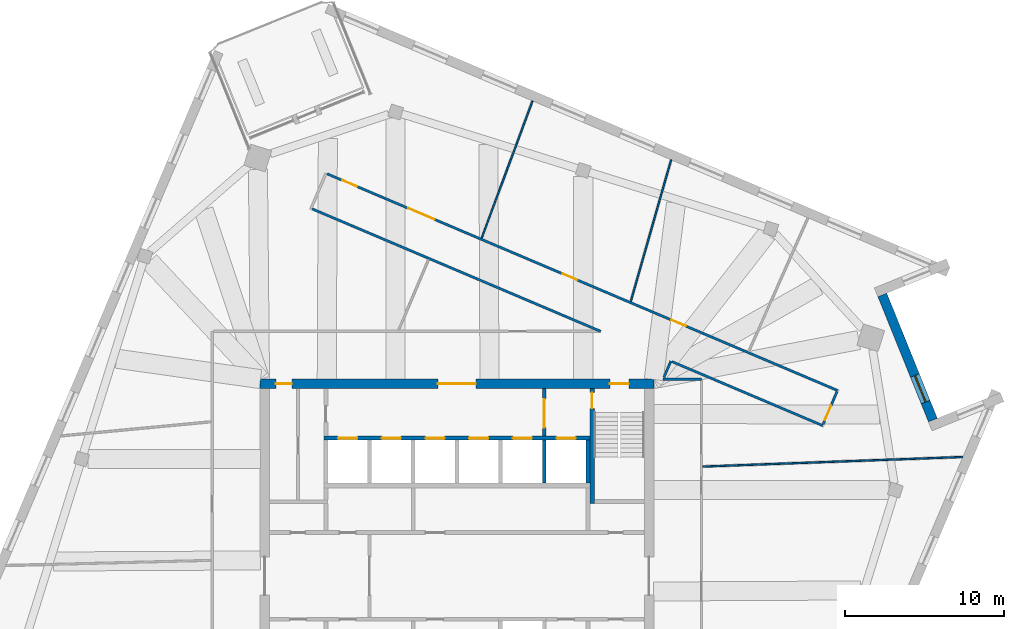
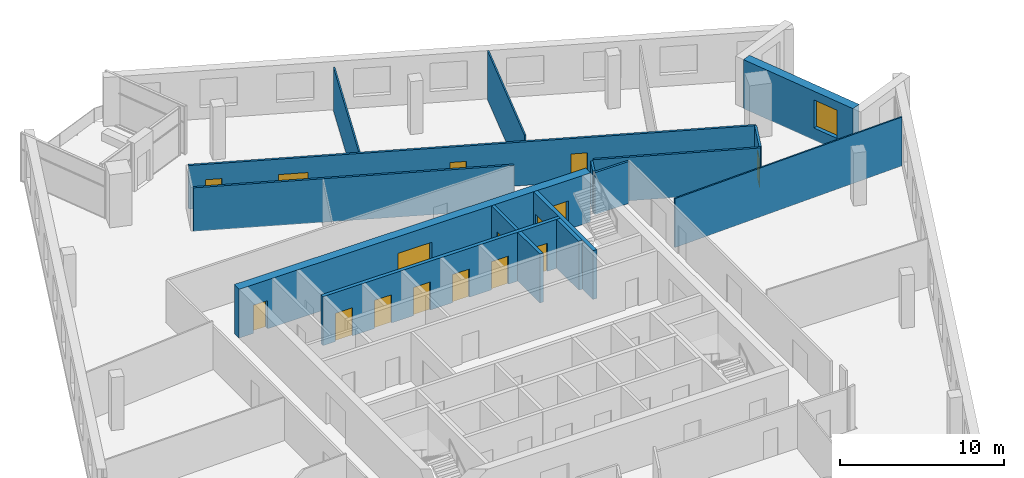
# One storey, part 10 of 13: 16 doors, 16 walls, 1 window, 17 openings.
"""IFC4 building model written with IfcOpenShell, lengths in metres."""

from ifc_helpers import new_model, si_unit, direction, frame, frame_2d, origin, place, context, subcontext, project, spatial, rectangle, extrude, material, layer, layer_set, type_object, element, fill, save


model = new_model("IFC4")

# Units and contexts
model_context = context("Model", 3, precision=1e-05, world=origin(), true_north=direction((0.0, 1.0)))
body_context = subcontext(model_context, "Body", "Model", "MODEL_VIEW")
ifc_project = project(units=[si_unit("LENGTHUNIT", "METRE"), si_unit("AREAUNIT", "SQUARE_METRE"), si_unit("VOLUMEUNIT", "CUBIC_METRE"), si_unit("PLANEANGLEUNIT", "RADIAN"), si_unit("MASSUNIT", "GRAM", prefix="KILO")], contexts=[model_context])

# Site, building, storey
site_placement = place(None, origin())
site = spatial("IfcSite", under=ifc_project, at=site_placement, CompositionType="ELEMENT")
building_placement = place(site_placement, origin())
building = spatial("IfcBuilding", under=site, at=building_placement, Name="Dilmun Exchange Tower", CompositionType="ELEMENT")
storey_placement = place(building_placement, frame((0.0, 0.0, 300.5)))
storey = spatial("IfcBuildingStorey", under=building, at=storey_placement, Name="L71", CompositionType="ELEMENT", Elevation=300.5)

# Wall, opening, door
ifc_material_1 = material(Name="Concrete C40/50", Category="concrete")
ifc_layer_1 = layer(ifc_material_1, 0.199951171875)
ifc_layer_set_1 = layer_set([ifc_layer_1], Name="Concrete C40/50")
wall_type_1 = type_object("IfcWallType", Name="Core partition wall 200", PredefinedType="PARTITIONING", material=ifc_layer_set_1)
wall_1_placement = place(storey_placement, frame((5.5, 8.804931640625, 0.0), z_axis=(0.0, 0.0, 1.0), x_axis=(0.0, 1.0, 0.0)))
wall_1 = element("IfcWall", 1, at=wall_1_placement, inside=storey, type_object=wall_type_1, Name="L71 core partition wall 20", PredefinedType="PARTITIONING", context=body_context, shape_type="SweptSolid", body=[
    extrude(rectangle(XDim=2.989990234375, YDim=0.199951171875, at=frame_2d((1.4951171875, 0.0))), origin(), (0.0, 0.0, 1.0), 3.64990234375),
])
opening_1_placement = place(wall_1_placement, frame((0.532470703125, 0.0, 0.0)))
opening_1 = element("IfcOpeningElement", 2, at=opening_1_placement, cuts=wall_1, Name="Opening CD5", PredefinedType="OPENING", context=body_context, shape_type="SweptSolid", body=[
    extrude(rectangle(XDim=1.800048828125, YDim=2.10009765625, at=frame_2d((0.89990234375, 1.050048828125))), frame((0.0, 0.10986328125, 0.0), z_axis=(0.0, -1.0, 0.0), x_axis=(1.0, 0.0, 0.0)), (0.0, 0.0, 1.0), 0.219970703125),
])
ifc_material_2 = material(Name="Fire-rated steel door set", Category="steel")
door_type_1 = type_object("IfcDoorType", Name="Stair exit door 1800x2100", OperationType="SINGLE_SWING_LEFT", PredefinedType="DOOR", material=ifc_material_2)
door_1_placement = place(opening_1_placement, origin())
door_1 = element("IfcDoor", 3, at=door_1_placement, inside=storey, type_object=door_type_1, Name="L71 door Lift lobby east", OperationType="SINGLE_SWING_LEFT", OverallHeight=2.10009765625, OverallWidth=1.800048828125, PredefinedType="DOOR", context=body_context, shape_type="SweptSolid", body=[
    extrude(rectangle(XDim=1.800048828125, YDim=2.10009765625, at=frame_2d((0.89990234375, 1.050048828125))), frame((0.0, 0.02490234375, 0.0), z_axis=(0.0, -1.0, 0.0), x_axis=(1.0, 0.0, 0.0)), (0.0, 0.0, 1.0), 0.050048828125),
])
fill(opening_1, door_1)

# Wall, openings, doors
ifc_material_3 = material(Name="Concrete C50/60", Category="concrete")
ifc_layer_2 = layer(ifc_material_3, 0.60009765625)
ifc_layer_set_2 = layer_set([ifc_layer_2], Name="Concrete C50/60")
wall_type_2 = type_object("IfcWallType", Name="Core shear wall 600 Concrete C50/60", PredefinedType="SHEAR", material=ifc_layer_set_2)
wall_2_placement = place(storey_placement, frame((-12.39990234375, 12.10009765625, 0.0), z_axis=(0.0, 0.0, 1.0), x_axis=(1.0, 0.0, 0.0)))
wall_2 = element("IfcWall", 4, at=wall_2_placement, inside=storey, type_object=wall_type_2, Name="L71 core shear wall N", PredefinedType="SHEAR", context=body_context, shape_type="SweptSolid", body=[
    extrude(rectangle(XDim=24.7998046875, YDim=0.60009765625, at=frame_2d((12.39990234375, 0.0))), origin(), (0.0, 0.0, 1.0), 3.64990234375),
])
opening_2_placement = place(wall_2_placement, frame((11.199951171875, 0.0, 0.0)))
opening_2 = element("IfcOpeningElement", 5, at=opening_2_placement, cuts=wall_2, Name="Opening CD1", PredefinedType="OPENING", context=body_context, shape_type="SweptSolid", body=[
    extrude(rectangle(XDim=2.39990234375, YDim=2.39990234375, at=frame_2d((1.199951171875, 1.199951171875))), frame((0.0, 0.31005859375, 0.0), z_axis=(0.0, -1.0, 0.0), x_axis=(1.0, 0.0, 0.0)), (0.0, 0.0, 1.0), 0.6201171875),
])
opening_3_placement = place(wall_2_placement, frame((22.02490234375, 0.0, 0.0)))
opening_3 = element("IfcOpeningElement", 6, at=opening_3_placement, cuts=wall_2, Name="Opening CD3", PredefinedType="OPENING", context=body_context, shape_type="SweptSolid", body=[
    extrude(rectangle(XDim=1.199951171875, YDim=2.10009765625, at=frame_2d((0.60009765625, 1.050048828125))), frame((0.0, 0.31005859375, 0.0), z_axis=(0.0, -1.0, 0.0), x_axis=(1.0, 0.0, 0.0)), (0.0, 0.0, 1.0), 0.6201171875),
])
opening_4_placement = place(wall_2_placement, frame((1.0, 0.0, 0.0)))
opening_4 = element("IfcOpeningElement", 7, at=opening_4_placement, cuts=wall_2, Name="Opening CD4", PredefinedType="OPENING", context=body_context, shape_type="SweptSolid", body=[
    extrude(rectangle(XDim=1.0, YDim=2.10009765625, at=frame_2d((0.5, 1.050048828125))), frame((0.0, 0.31005859375, 0.0), z_axis=(0.0, -1.0, 0.0), x_axis=(1.0, 0.0, 0.0)), (0.0, 0.0, 1.0), 0.6201171875),
])
door_type_2 = type_object("IfcDoorType", Name="Core lobby door 2400x2400", OperationType="DOUBLE_DOOR_DOUBLE_SWING", PredefinedType="DOOR", material=ifc_material_2)
door_2_placement = place(opening_2_placement, origin())
door_2 = element("IfcDoor", 8, at=door_2_placement, inside=storey, type_object=door_type_2, Name="L71 door North lift lobby", OperationType="SINGLE_SWING_LEFT", OverallHeight=2.39990234375, OverallWidth=2.39990234375, PredefinedType="DOOR", context=body_context, shape_type="SweptSolid", body=[
    extrude(rectangle(XDim=2.39990234375, YDim=2.39990234375, at=frame_2d((1.199951171875, 1.199951171875))), frame((0.0, 0.02490234375, 0.0), z_axis=(0.0, -1.0, 0.0), x_axis=(1.0, 0.0, 0.0)), (0.0, 0.0, 1.0), 0.050048828125),
])
fill(opening_2, door_2)
door_type_3 = type_object("IfcDoorType", Name="Core room door 1000x2100", OperationType="SINGLE_SWING_LEFT", PredefinedType="DOOR", material=ifc_material_2)
door_3_placement = place(opening_4_placement, origin())
door_3 = element("IfcDoor", 9, at=door_3_placement, inside=storey, type_object=door_type_3, Name="L71 door North-west core rooms", OperationType="SINGLE_SWING_LEFT", OverallHeight=2.10009765625, OverallWidth=1.0, PredefinedType="DOOR", context=body_context, shape_type="SweptSolid", body=[
    extrude(rectangle(XDim=1.0, YDim=2.10009765625, at=frame_2d((0.5, 1.050048828125))), frame((0.0, 0.02490234375, 0.0), z_axis=(0.0, -1.0, 0.0), x_axis=(1.0, 0.0, 0.0)), (0.0, 0.0, 1.0), 0.050048828125),
])
fill(opening_4, door_3)
door_type_4 = type_object("IfcDoorType", Name="Stair exit door 1200x2100", OperationType="SINGLE_SWING_LEFT", PredefinedType="DOOR", material=ifc_material_2)
door_4_placement = place(opening_3_placement, origin())
door_4 = element("IfcDoor", 10, at=door_4_placement, inside=storey, type_object=door_type_4, Name="L71 door Stair ST1", OperationType="SINGLE_SWING_LEFT", OverallHeight=2.10009765625, OverallWidth=1.199951171875, PredefinedType="DOOR", context=body_context, shape_type="SweptSolid", body=[
    extrude(rectangle(XDim=1.199951171875, YDim=2.10009765625, at=frame_2d((0.60009765625, 1.050048828125))), frame((0.0, 0.02490234375, 0.0), z_axis=(0.0, -1.0, 0.0), x_axis=(1.0, 0.0, 0.0)), (0.0, 0.0, 1.0), 0.050048828125),
])
fill(opening_3, door_4)

# Wall
ifc_material_4 = material(Name="Corridor wall 150")
ifc_layer_3 = layer(ifc_material_4, 0.14990234375)
ifc_layer_set_3 = layer_set([ifc_layer_3], Name="Corridor wall 150")
wall_type_3 = type_object("IfcWallType", Name="Corridor wall 150", PredefinedType="PARTITIONING", material=ifc_layer_set_3)
wall_3_placement = place(storey_placement, frame((-9.114013671875, 23.11572265625, 0.0), z_axis=(0.0, 0.0, 1.0), x_axis=(0.920508047483, -0.390723603739, 0.0)))
element("IfcWall", 11, at=wall_3_placement, inside=storey, type_object=wall_type_3, Name="Corridor wall", PredefinedType="PARTITIONING", context=body_context, shape_type="SweptSolid", body=[
    extrude(rectangle(XDim=19.73681640625, YDim=0.14990234375, at=frame_2d((9.868408203125, 0.0))), origin(), (0.0, 0.0, 1.0), 3.25),
])

# Wall, openings, doors
wall_4_placement = place(storey_placement, frame((-8.176025390625, 25.32470703125, 0.0), z_axis=(0.0, 0.0, 1.0), x_axis=(0.920507643781, -0.390724554821, 0.0)))
wall_4 = element("IfcWall", 12, at=wall_4_placement, inside=storey, type_object=wall_type_3, Name="Corridor wall", PredefinedType="PARTITIONING", context=body_context, shape_type="SweptSolid", body=[
    extrude(rectangle(XDim=34.916748046875, YDim=0.14990234375, at=frame_2d((17.45849609375, 0.0))), origin(), (0.0, 0.0, 1.0), 3.25),
])
opening_5_placement = place(wall_4_placement, frame((5.550048828125, 0.0, 0.0)))
opening_5 = element("IfcOpeningElement", 13, at=opening_5_placement, cuts=wall_4, Name="Opening TF70-D06", PredefinedType="OPENING", context=body_context, shape_type="SweptSolid", body=[
    extrude(rectangle(XDim=1.800048828125, YDim=2.10009765625, at=frame_2d((0.89990234375, 1.050048828125))), frame((0.0, 0.0849609375, 0.0), z_axis=(0.0, -1.0, 0.0), x_axis=(1.0, 0.0, 0.0)), (0.0, 0.0, 1.0), 0.169921875),
])
opening_6_placement = place(wall_4_placement, frame((1.050048828125, 0.0, 0.0)))
opening_6 = element("IfcOpeningElement", 14, at=opening_6_placement, cuts=wall_4, Name="Opening TF70-D07", PredefinedType="OPENING", context=body_context, shape_type="SweptSolid", body=[
    extrude(rectangle(XDim=1.0, YDim=2.10009765625, at=frame_2d((0.5, 1.050048828125))), frame((0.0, 0.0849609375, 0.0), z_axis=(0.0, -1.0, 0.0), x_axis=(1.0, 0.0, 0.0)), (0.0, 0.0, 1.0), 0.169921875),
])
opening_7_placement = place(wall_4_placement, frame((16.097900390625, 0.0, 0.0)))
opening_7 = element("IfcOpeningElement", 15, at=opening_7_placement, cuts=wall_4, Name="Opening TF70-D12", PredefinedType="OPENING", context=body_context, shape_type="SweptSolid", body=[
    extrude(rectangle(XDim=1.0, YDim=2.10009765625, at=frame_2d((0.5, 1.050048828125))), frame((0.0, 0.0849609375, 0.0), z_axis=(0.0, -1.0, 0.0), x_axis=(1.0, 0.0, 0.0)), (0.0, 0.0, 1.0), 0.169921875),
])
opening_8_placement = place(wall_4_placement, frame((23.547119140625, 0.0, 0.0)))
opening_8 = element("IfcOpeningElement", 16, at=opening_8_placement, cuts=wall_4, Name="Opening TF70-D13", PredefinedType="OPENING", context=body_context, shape_type="SweptSolid", body=[
    extrude(rectangle(XDim=1.0, YDim=2.10009765625, at=frame_2d((0.5, 1.050048828125))), frame((0.0, 0.0849609375, 0.0), z_axis=(0.0, -1.0, 0.0), x_axis=(1.0, 0.0, 0.0)), (0.0, 0.0, 1.0), 0.169921875),
])
ifc_material_5 = material(Name="Fire door 1000 x 2100")
door_type_5 = type_object("IfcDoorType", Name="Fire door 1000 x 2100", OperationType="NOTDEFINED", PredefinedType="DOOR", material=ifc_material_5)
door_5_placement = place(opening_6_placement, origin())
door_5 = element("IfcDoor", 17, at=door_5_placement, inside=storey, type_object=door_type_5, Name="Door TF70-D07", OperationType="SINGLE_SWING_LEFT", OverallHeight=2.10009765625, OverallWidth=1.0, PredefinedType="DOOR", context=body_context, shape_type="SweptSolid", body=[
    extrude(rectangle(XDim=1.0, YDim=2.10009765625, at=frame_2d((0.5, 1.050048828125))), frame((0.0, 0.02490234375, 0.0), z_axis=(0.0, -1.0, 0.0), x_axis=(1.0, 0.0, 0.0)), (0.0, 0.0, 1.0), 0.050048828125),
])
fill(opening_6, door_5)
door_6_placement = place(opening_7_placement, origin())
door_6 = element("IfcDoor", 18, at=door_6_placement, inside=storey, type_object=door_type_5, Name="Door TF70-D12", OperationType="SINGLE_SWING_RIGHT", OverallHeight=2.10009765625, OverallWidth=1.0, PredefinedType="DOOR", context=body_context, shape_type="SweptSolid", body=[
    extrude(rectangle(XDim=1.0, YDim=2.10009765625, at=frame_2d((0.5, 1.050048828125))), frame((0.0, 0.02490234375, 0.0), z_axis=(0.0, -1.0, 0.0), x_axis=(1.0, 0.0, 0.0)), (0.0, 0.0, 1.0), 0.050048828125),
])
fill(opening_7, door_6)
door_7_placement = place(opening_8_placement, origin())
door_7 = element("IfcDoor", 19, at=door_7_placement, inside=storey, type_object=door_type_5, Name="Door TF70-D13", OperationType="SINGLE_SWING_RIGHT", OverallHeight=2.10009765625, OverallWidth=1.0, PredefinedType="DOOR", context=body_context, shape_type="SweptSolid", body=[
    extrude(rectangle(XDim=1.0, YDim=2.10009765625, at=frame_2d((0.5, 1.050048828125))), frame((0.0, 0.02490234375, 0.0), z_axis=(0.0, -1.0, 0.0), x_axis=(1.0, 0.0, 0.0)), (0.0, 0.0, 1.0), 0.050048828125),
])
fill(opening_8, door_7)
ifc_material_6 = material(Name="Fire door pair 1800 x 2100")
door_type_6 = type_object("IfcDoorType", Name="Fire door pair 1800 x 2100", OperationType="NOTDEFINED", PredefinedType="DOOR", material=ifc_material_6)
door_8_placement = place(opening_5_placement, origin())
door_8 = element("IfcDoor", 20, at=door_8_placement, inside=storey, type_object=door_type_6, Name="Door TF70-D06", OperationType="DOUBLE_DOOR_SINGLE_SWING", OverallHeight=2.10009765625, OverallWidth=1.800048828125, PredefinedType="DOOR", context=body_context, shape_type="SweptSolid", body=[
    extrude(rectangle(XDim=1.800048828125, YDim=2.10009765625, at=frame_2d((0.89990234375, 1.050048828125))), frame((0.0, 0.02490234375, 0.0), z_axis=(0.0, -1.0, 0.0), x_axis=(1.0, 0.0, 0.0)), (0.0, 0.0, 1.0), 0.050048828125),
])
fill(opening_5, door_8)

# Walls
wall_5_placement = place(storey_placement, frame((12.990966796875, 12.39990234375, 0.0), z_axis=(0.0, 0.0, 1.0), x_axis=(1.0, 0.0, 0.0)))
element("IfcWall", 21, at=wall_5_placement, inside=storey, type_object=wall_type_3, Name="Corridor wall", PredefinedType="PARTITIONING", context=body_context, shape_type="SweptSolid", body=[
    extrude(rectangle(XDim=2.408935546875, YDim=0.14990234375, at=frame_2d((1.20458984375, 0.0))), origin(), (0.0, 0.0, 1.0), 3.1298828125),
])
wall_6_placement = place(storey_placement, frame((13.03515625, 12.50439453125, 0.0), z_axis=(0.0, 0.0, 1.0), x_axis=(0.390634335845, 0.920545933487, 0.0)))
element("IfcWall", 22, at=wall_6_placement, inside=storey, type_object=wall_type_3, Name="Corridor wall", PredefinedType="PARTITIONING", context=body_context, shape_type="SweptSolid", body=[
    extrude(rectangle(XDim=1.113037109375, YDim=0.14990234375, at=frame_2d((0.556640625, 0.0))), origin(), (0.0, 0.0, 1.0), 3.1298828125),
])
wall_7_placement = place(storey_placement, frame((13.5390625, 13.499755859375, 0.0), z_axis=(0.0, 0.0, 1.0), x_axis=(0.920505387388, -0.390729870613, 0.0)))
element("IfcWall", 23, at=wall_7_placement, inside=storey, type_object=wall_type_3, Name="Corridor wall", PredefinedType="PARTITIONING", context=body_context, shape_type="SweptSolid", body=[
    extrude(rectangle(XDim=10.30859375, YDim=0.14990234375, at=frame_2d((5.154296875, 0.0))), origin(), (0.0, 0.0, 1.0), 3.25),
])

# Wall, opening, door
wall_8_placement = place(storey_placement, frame((23.057373046875, 9.5419921875, 0.0), z_axis=(0.0, 0.0, 1.0), x_axis=(0.390510824394, 0.920598335883, 0.0)))
wall_8 = element("IfcWall", 24, at=wall_8_placement, inside=storey, type_object=wall_type_3, Name="Corridor wall", PredefinedType="PARTITIONING", context=body_context, shape_type="SweptSolid", body=[
    extrude(rectangle(XDim=2.24951171875, YDim=0.14990234375, at=frame_2d((1.124755859375, 0.0))), origin(), (0.0, 0.0, 1.0), 3.25),
])
opening_9_placement = place(wall_8_placement, frame((0.300048828125, 0.0, 0.0)))
opening_9 = element("IfcOpeningElement", 25, at=opening_9_placement, cuts=wall_8, Name="Opening TF70-D19", PredefinedType="OPENING", context=body_context, shape_type="SweptSolid", body=[
    extrude(rectangle(XDim=1.0, YDim=2.10009765625, at=frame_2d((0.5, 1.050048828125))), frame((0.0, 0.0849609375, 0.0), z_axis=(0.0, -1.0, 0.0), x_axis=(1.0, 0.0, 0.0)), (0.0, 0.0, 1.0), 0.169921875),
])
door_9_placement = place(opening_9_placement, frame((1.0, 0.0, 0.0), z_axis=(0.0, 0.0, 1.0), x_axis=(-1.0, 0.0, 0.0)))
door_9 = element("IfcDoor", 26, at=door_9_placement, inside=storey, type_object=door_type_5, Name="Door TF70-D19", OperationType="SINGLE_SWING_RIGHT", OverallHeight=2.10009765625, OverallWidth=1.0, PredefinedType="DOOR", context=body_context, shape_type="SweptSolid", body=[
    extrude(rectangle(XDim=1.0, YDim=2.10009765625, at=frame_2d((0.5, 1.050048828125))), frame((0.0, 0.02490234375, 0.0), z_axis=(0.0, -1.0, 0.0), x_axis=(1.0, 0.0, 0.0)), (0.0, 0.0, 1.0), 0.050048828125),
])
fill(opening_9, door_9)

# Wall, openings, doors
ifc_layer_4 = layer(ifc_material_1, 0.25)
ifc_layer_set_4 = layer_set([ifc_layer_4], Name="Concrete C40/50")
wall_type_4 = type_object("IfcWallType", Name="Lift shaft wall 250", PredefinedType="SOLIDWALL", material=ifc_layer_set_4)
wall_9_placement = place(storey_placement, frame((-8.375, 8.675048828125, 0.0), z_axis=(0.0, 0.0, 1.0), x_axis=(1.0, 0.0, 0.0)))
wall_9 = element("IfcWall", 27, at=wall_9_placement, inside=storey, type_object=wall_type_4, Name="L71 lift shaft front wall N2", PredefinedType="SOLIDWALL", context=body_context, shape_type="SweptSolid", body=[
    extrude(rectangle(XDim=16.75, YDim=0.25, at=frame_2d((8.375, 0.0))), origin(), (0.0, 0.0, 1.0), 3.64990234375),
])
opening_10_placement = place(wall_9_placement, frame((0.89990234375, 0.0, 0.0)))
opening_10 = element("IfcOpeningElement", 28, at=opening_10_placement, cuts=wall_9, Name="Opening LD", PredefinedType="OPENING", context=body_context, shape_type="SweptSolid", body=[
    extrude(rectangle(XDim=1.199951171875, YDim=2.10009765625, at=frame_2d((0.60009765625, 1.050048828125))), frame((0.0, 0.135009765625, 0.0), z_axis=(0.0, -1.0, 0.0), x_axis=(1.0, 0.0, 0.0)), (0.0, 0.0, 1.0), 0.27001953125),
])
opening_11_placement = place(wall_9_placement, frame((3.64990234375, 0.0, 0.0)))
opening_11 = element("IfcOpeningElement", 29, at=opening_11_placement, cuts=wall_9, Name="Opening LD", PredefinedType="OPENING", context=body_context, shape_type="SweptSolid", body=[
    extrude(rectangle(XDim=1.199951171875, YDim=2.10009765625, at=frame_2d((0.60009765625, 1.050048828125))), frame((0.0, 0.135009765625, 0.0), z_axis=(0.0, -1.0, 0.0), x_axis=(1.0, 0.0, 0.0)), (0.0, 0.0, 1.0), 0.27001953125),
])
opening_12_placement = place(wall_9_placement, frame((6.39990234375, 0.0, 0.0)))
opening_12 = element("IfcOpeningElement", 30, at=opening_12_placement, cuts=wall_9, Name="Opening LD", PredefinedType="OPENING", context=body_context, shape_type="SweptSolid", body=[
    extrude(rectangle(XDim=1.199951171875, YDim=2.10009765625, at=frame_2d((0.60009765625, 1.050048828125))), frame((0.0, 0.135009765625, 0.0), z_axis=(0.0, -1.0, 0.0), x_axis=(1.0, 0.0, 0.0)), (0.0, 0.0, 1.0), 0.27001953125),
])
opening_13_placement = place(wall_9_placement, frame((9.14990234375, 0.0, 0.0)))
opening_13 = element("IfcOpeningElement", 31, at=opening_13_placement, cuts=wall_9, Name="Opening LD", PredefinedType="OPENING", context=body_context, shape_type="SweptSolid", body=[
    extrude(rectangle(XDim=1.199951171875, YDim=2.10009765625, at=frame_2d((0.60009765625, 1.050048828125))), frame((0.0, 0.135009765625, 0.0), z_axis=(0.0, -1.0, 0.0), x_axis=(1.0, 0.0, 0.0)), (0.0, 0.0, 1.0), 0.27001953125),
])
opening_14_placement = place(wall_9_placement, frame((11.89990234375, 0.0, 0.0)))
opening_14 = element("IfcOpeningElement", 32, at=opening_14_placement, cuts=wall_9, Name="Opening LD", PredefinedType="OPENING", context=body_context, shape_type="SweptSolid", body=[
    extrude(rectangle(XDim=1.199951171875, YDim=2.10009765625, at=frame_2d((0.60009765625, 1.050048828125))), frame((0.0, 0.135009765625, 0.0), z_axis=(0.0, -1.0, 0.0), x_axis=(1.0, 0.0, 0.0)), (0.0, 0.0, 1.0), 0.27001953125),
])
opening_15_placement = place(wall_9_placement, frame((14.64990234375, 0.0, 0.0)))
opening_15 = element("IfcOpeningElement", 33, at=opening_15_placement, cuts=wall_9, Name="Opening LD", PredefinedType="OPENING", context=body_context, shape_type="SweptSolid", body=[
    extrude(rectangle(XDim=1.199951171875, YDim=2.10009765625, at=frame_2d((0.60009765625, 1.050048828125))), frame((0.0, 0.135009765625, 0.0), z_axis=(0.0, -1.0, 0.0), x_axis=(1.0, 0.0, 0.0)), (0.0, 0.0, 1.0), 0.27001953125),
])
door_type_7 = type_object("IfcDoorType", Name="Lift landing door 1200x2100", OperationType="DOUBLE_DOOR_SLIDING", PredefinedType="DOOR", material=ifc_material_2)
door_10_placement = place(opening_10_placement, origin())
door_10 = element("IfcDoor", 34, at=door_10_placement, inside=storey, type_object=door_type_7, Name="L71 landing door HR1", OperationType="DOUBLE_DOOR_SLIDING", OverallHeight=2.10009765625, OverallWidth=1.199951171875, PredefinedType="DOOR", context=body_context, shape_type="SweptSolid", body=[
    extrude(rectangle(XDim=1.199951171875, YDim=2.10009765625, at=frame_2d((0.60009765625, 1.050048828125))), frame((0.0, 0.02490234375, 0.0), z_axis=(0.0, -1.0, 0.0), x_axis=(1.0, 0.0, 0.0)), (0.0, 0.0, 1.0), 0.050048828125),
])
fill(opening_10, door_10)
door_11_placement = place(opening_11_placement, origin())
door_11 = element("IfcDoor", 35, at=door_11_placement, inside=storey, type_object=door_type_7, Name="L71 landing door HR2", OperationType="DOUBLE_DOOR_SLIDING", OverallHeight=2.10009765625, OverallWidth=1.199951171875, PredefinedType="DOOR", context=body_context, shape_type="SweptSolid", body=[
    extrude(rectangle(XDim=1.199951171875, YDim=2.10009765625, at=frame_2d((0.60009765625, 1.050048828125))), frame((0.0, 0.02490234375, 0.0), z_axis=(0.0, -1.0, 0.0), x_axis=(1.0, 0.0, 0.0)), (0.0, 0.0, 1.0), 0.050048828125),
])
fill(opening_11, door_11)
door_12_placement = place(opening_12_placement, origin())
door_12 = element("IfcDoor", 36, at=door_12_placement, inside=storey, type_object=door_type_7, Name="L71 landing door HR3", OperationType="DOUBLE_DOOR_SLIDING", OverallHeight=2.10009765625, OverallWidth=1.199951171875, PredefinedType="DOOR", context=body_context, shape_type="SweptSolid", body=[
    extrude(rectangle(XDim=1.199951171875, YDim=2.10009765625, at=frame_2d((0.60009765625, 1.050048828125))), frame((0.0, 0.02490234375, 0.0), z_axis=(0.0, -1.0, 0.0), x_axis=(1.0, 0.0, 0.0)), (0.0, 0.0, 1.0), 0.050048828125),
])
fill(opening_12, door_12)
door_13_placement = place(opening_13_placement, origin())
door_13 = element("IfcDoor", 37, at=door_13_placement, inside=storey, type_object=door_type_7, Name="L71 landing door HR4", OperationType="DOUBLE_DOOR_SLIDING", OverallHeight=2.10009765625, OverallWidth=1.199951171875, PredefinedType="DOOR", context=body_context, shape_type="SweptSolid", body=[
    extrude(rectangle(XDim=1.199951171875, YDim=2.10009765625, at=frame_2d((0.60009765625, 1.050048828125))), frame((0.0, 0.02490234375, 0.0), z_axis=(0.0, -1.0, 0.0), x_axis=(1.0, 0.0, 0.0)), (0.0, 0.0, 1.0), 0.050048828125),
])
fill(opening_13, door_13)
door_14_placement = place(opening_14_placement, origin())
door_14 = element("IfcDoor", 38, at=door_14_placement, inside=storey, type_object=door_type_7, Name="L71 landing door HR5", OperationType="DOUBLE_DOOR_SLIDING", OverallHeight=2.10009765625, OverallWidth=1.199951171875, PredefinedType="DOOR", context=body_context, shape_type="SweptSolid", body=[
    extrude(rectangle(XDim=1.199951171875, YDim=2.10009765625, at=frame_2d((0.60009765625, 1.050048828125))), frame((0.0, 0.02490234375, 0.0), z_axis=(0.0, -1.0, 0.0), x_axis=(1.0, 0.0, 0.0)), (0.0, 0.0, 1.0), 0.050048828125),
])
fill(opening_14, door_14)
door_15_placement = place(opening_15_placement, origin())
door_15 = element("IfcDoor", 39, at=door_15_placement, inside=storey, type_object=door_type_7, Name="L71 landing door HR6", OperationType="DOUBLE_DOOR_SLIDING", OverallHeight=2.10009765625, OverallWidth=1.199951171875, PredefinedType="DOOR", context=body_context, shape_type="SweptSolid", body=[
    extrude(rectangle(XDim=1.199951171875, YDim=2.10009765625, at=frame_2d((0.60009765625, 1.050048828125))), frame((0.0, 0.02490234375, 0.0), z_axis=(0.0, -1.0, 0.0), x_axis=(1.0, 0.0, 0.0)), (0.0, 0.0, 1.0), 0.050048828125),
])
fill(opening_15, door_15)

# Walls
for number, where, z_axis, x_axis, name in (
    (40, (5.5, 5.85009765625, 0.0), (0.0, 0.0, 1.0), (0.0, 1.0, 0.0), "L71 lift shaft divider N25"),
    (41, (8.25, 5.85009765625, 0.0), (0.0, 0.0, 1.0), (0.0, 1.0, 0.0), "L71 lift shaft divider N26"),
):
    element("IfcWall", number, at=place(storey_placement, frame(where, z_axis=z_axis, x_axis=x_axis)), inside=storey, type_object=wall_type_4, Name=name, PredefinedType="SOLIDWALL", context=body_context, shape_type="SweptSolid", body=[
        extrude(rectangle(XDim=2.699951171875, YDim=0.25, at=frame_2d((1.35009765625, 0.0))), origin(), (0.0, 0.0, 1.0), 3.64990234375),
    ])
ifc_material_7 = material(Name="Partition 100")
ifc_layer_5 = layer(ifc_material_7, 0.10009765625)
ifc_layer_set_5 = layer_set([ifc_layer_5], Name="Partition 100")
wall_type_5 = type_object("IfcWallType", Name="Partition 100", PredefinedType="PARTITIONING", material=ifc_layer_set_5)
wall_10_placement = place(storey_placement, frame((1.56201171875, 21.275634765625, 0.0), z_axis=(0.0, 0.0, 1.0), x_axis=(0.346967394258, 0.937877192025, 0.0)))
element("IfcWall", 42, at=wall_10_placement, inside=storey, type_object=wall_type_5, Name="Partition", PredefinedType="PARTITIONING", context=body_context, shape_type="SweptSolid", body=[
    extrude(rectangle(XDim=9.21337890625, YDim=0.10009765625, at=frame_2d((4.606689453125, 0.0))), origin(), (0.0, 0.0, 1.0), 3.25),
])
wall_11_placement = place(storey_placement, frame((10.948486328125, 17.295654296875, 0.0), z_axis=(0.0, 0.0, 1.0), x_axis=(0.274428926373, 0.961607385771, 0.0)))
element("IfcWall", 43, at=wall_11_placement, inside=storey, type_object=wall_type_5, Name="Partition", PredefinedType="PARTITIONING", context=body_context, shape_type="SweptSolid", body=[
    extrude(rectangle(XDim=9.27001953125, YDim=0.10009765625, at=frame_2d((4.635009765625, 0.0))), origin(), (0.0, 0.0, 1.0), 3.64990234375),
])
wall_12_placement = place(storey_placement, frame((15.476806640625, 6.888916015625, 0.0), z_axis=(0.0, 0.0, 1.0), x_axis=(0.999319883967, 0.036875052648, 0.0)))
element("IfcWall", 44, at=wall_12_placement, inside=storey, type_object=wall_type_5, Name="Partition", PredefinedType="PARTITIONING", context=body_context, shape_type="SweptSolid", body=[
    extrude(rectangle(XDim=16.39306640625, YDim=0.10009765625, at=frame_2d((8.196533203125, 0.0))), origin(), (0.0, 0.0, 1.0), 3.64990234375),
])

# Wall, opening, window
ifc_material_8 = material(Name="Precast concrete C50/60", Category="concrete")
ifc_layer_6 = layer(ifc_material_8, 0.60009765625)
ifc_layer_set_6 = layer_set([ifc_layer_6], Name="Precast concrete C50/60")
wall_type_6 = type_object("IfcWallType", Name="Precast stone-clad wall 600", PredefinedType="STANDARD", material=ifc_layer_set_6)
wall_13_placement = place(storey_placement, frame((29.9755859375, 9.81494140625, 0.0), z_axis=(0.0, 0.0, 1.0), x_axis=(-0.374622134294, 0.927177575493, 0.0)))
wall_13 = element("IfcWall", 45, at=wall_13_placement, inside=storey, type_object=wall_type_6, Name="Facade wall L71-13", PredefinedType="STANDARD", context=body_context, shape_type="SweptSolid", body=[
    extrude(rectangle(XDim=8.5, YDim=0.60009765625, at=frame_2d((4.25, 0.0))), origin(), (0.0, 0.0, 1.0), 3.64990234375),
])
opening_16_placement = place(wall_13_placement, frame((1.22509765625, 0.0, 0.89990234375)))
opening_16 = element("IfcOpeningElement", 46, at=opening_16_placement, cuts=wall_13, Name="Opening W180-210", PredefinedType="OPENING", context=body_context, shape_type="SweptSolid", body=[
    extrude(rectangle(XDim=1.800048828125, YDim=2.10009765625, at=frame_2d((0.89990234375, 1.050048828125))), frame((0.0, 0.31005859375, 0.0), z_axis=(0.0, -1.0, 0.0), x_axis=(1.0, 0.0, 0.0)), (0.0, 0.0, 1.0), 0.6201171875),
])
ifc_material_9 = material(Name="Clear low-emissivity glass in aluminium frame", Category="aluminium")
window_type = type_object("IfcWindowType", Name="Punched window 1800 x 2100", PartitioningType="DOUBLE_PANEL_VERTICAL", PredefinedType="WINDOW", material=ifc_material_9)
window_placement = place(opening_16_placement, origin())
window = element("IfcWindow", 47, at=window_placement, inside=storey, type_object=window_type, Name="Window 14.1", OverallHeight=2.10009765625, OverallWidth=1.800048828125, PartitioningType="SINGLE_PANEL", PredefinedType="WINDOW", context=body_context, shape_type="SweptSolid", body=[
    extrude(rectangle(XDim=1.800048828125, YDim=2.10009765625, at=frame_2d((0.89990234375, 1.050048828125))), frame((0.0, 0.030029296875, 0.0), z_axis=(0.0, -1.0, 0.0), x_axis=(1.0, 0.0, 0.0)), (0.0, 0.0, 1.0), 0.06005859375),
])
fill(opening_16, window)

# Wall, opening, door
ifc_layer_7 = layer(ifc_material_1, 0.27490234375)
ifc_layer_set_7 = layer_set([ifc_layer_7], Name="Concrete C40/50")
wall_type_7 = type_object("IfcWallType", Name="Stair wall 275", PredefinedType="SOLIDWALL", material=ifc_layer_set_7)
wall_14_placement = place(storey_placement, frame((8.512451171875, 4.550048828125, 0.0), z_axis=(0.0, 0.0, 1.0), x_axis=(0.0, 1.0, 0.0)))
wall_14 = element("IfcWall", 48, at=wall_14_placement, inside=storey, type_object=wall_type_7, Name="L71 ST1 wall to lift block", PredefinedType="SOLIDWALL", context=body_context, shape_type="SweptSolid", body=[
    extrude(rectangle(XDim=7.25, YDim=0.27490234375, at=frame_2d((3.625, 0.0))), origin(), (0.0, 0.0, 1.0), 3.64990234375),
])
opening_17_placement = place(wall_14_placement, frame((6.0, 0.0, 0.0)))
opening_17 = element("IfcOpeningElement", 49, at=opening_17_placement, cuts=wall_14, Name="Opening CD4", PredefinedType="OPENING", context=body_context, shape_type="SweptSolid", body=[
    extrude(rectangle(XDim=1.0, YDim=2.10009765625, at=frame_2d((0.5, 1.050048828125))), frame((0.0, 0.1474609375, 0.0), z_axis=(0.0, -1.0, 0.0), x_axis=(1.0, 0.0, 0.0)), (0.0, 0.0, 1.0), 0.294921875),
])
door_16_placement = place(opening_17_placement, origin())
door_16 = element("IfcDoor", 50, at=door_16_placement, inside=storey, type_object=door_type_3, Name="L71 door ST1 from lobby", OperationType="SINGLE_SWING_LEFT", OverallHeight=2.10009765625, OverallWidth=1.0, PredefinedType="DOOR", context=body_context, shape_type="SweptSolid", body=[
    extrude(rectangle(XDim=1.0, YDim=2.10009765625, at=frame_2d((0.5, 1.050048828125))), frame((0.0, 0.02490234375, 0.0), z_axis=(0.0, -1.0, 0.0), x_axis=(1.0, 0.0, 0.0)), (0.0, 0.0, 1.0), 0.050048828125),
])
fill(opening_17, door_16)

save(model, "model.ifc")
